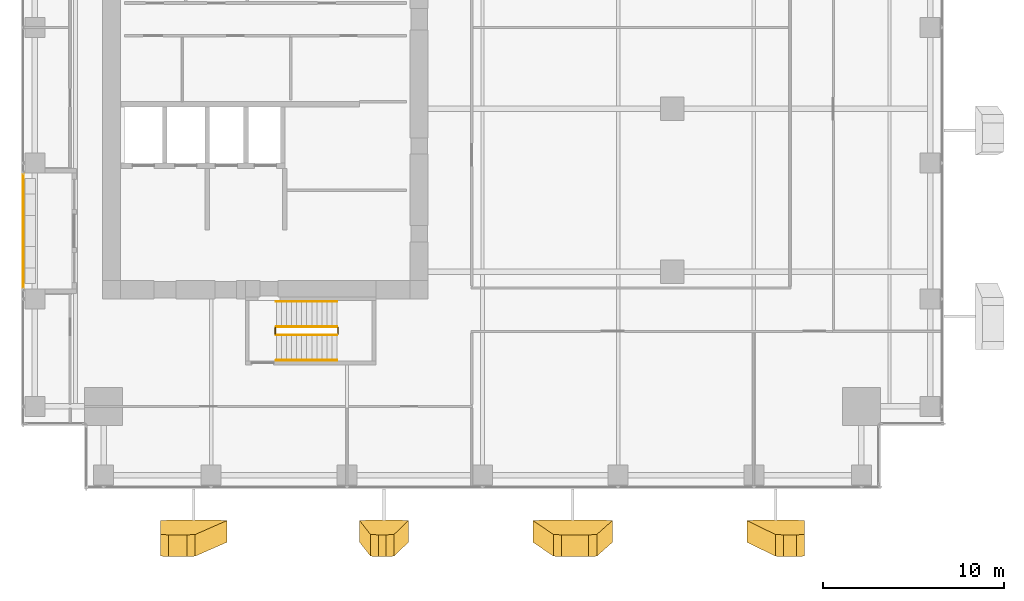
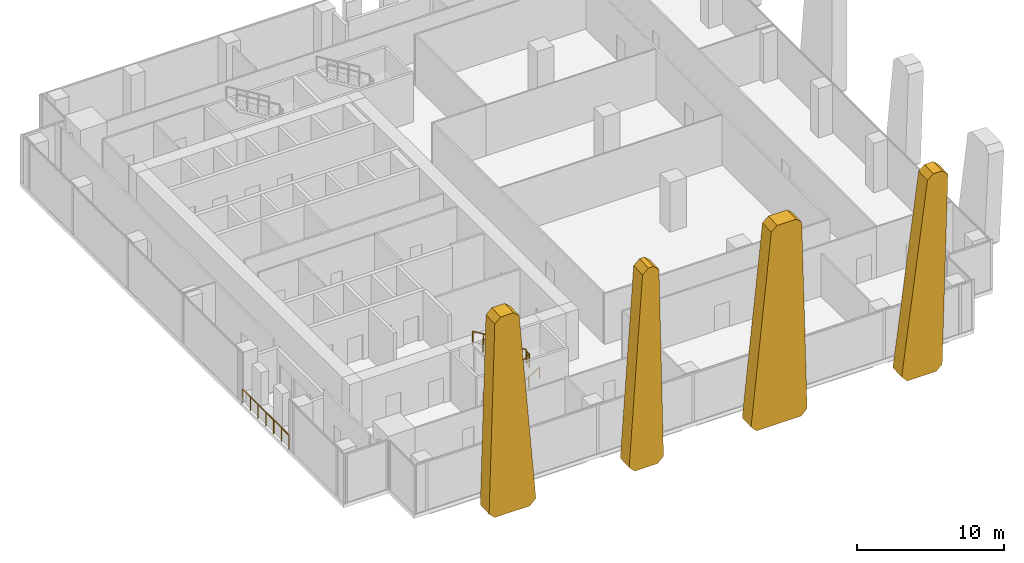
# One storey, part 32 of 35: 7 railings, 4 coverings.
"""IFC4 building model written with IfcOpenShell, lengths in metres."""

from ifc_helpers import new_model, si_unit, direction, frame, origin, origin_2d, place, context, subcontext, project, spatial, polyline, circle, outline, extrude, source, transform, mapped, material, layer, layer_set, type_object, element, save


model = new_model("IFC4")

# Units and contexts
model_context = context("Model", 3, precision=1e-05, world=origin(), true_north=direction((0.0, 1.0)))
body_context = subcontext(model_context, "Body", "Model", "MODEL_VIEW")
ifc_project = project(units=[si_unit("LENGTHUNIT", "METRE"), si_unit("AREAUNIT", "SQUARE_METRE"), si_unit("VOLUMEUNIT", "CUBIC_METRE"), si_unit("PLANEANGLEUNIT", "RADIAN"), si_unit("MASSUNIT", "GRAM", prefix="KILO")], contexts=[model_context])

# Site, building, storey
site_placement = place(None, origin())
site = spatial("IfcSite", under=ifc_project, at=site_placement, CompositionType="ELEMENT")
building_placement = place(site_placement, origin())
building = spatial("IfcBuilding", under=site, at=building_placement, Name="Khomas Fold Tower", CompositionType="ELEMENT")
storey_placement = place(building_placement, frame((0.0, 0.0, 119.10009765625)))
storey = spatial("IfcBuildingStorey", under=building, at=storey_placement, Name="L25", CompositionType="ELEMENT", Elevation=119.10009765625)

# Coverings
ifc_material_1 = material(Name="Natural stone cladding", Category="masonry")
ifc_layer = layer(ifc_material_1, 1.199951171875)
ifc_layer_set = layer_set([ifc_layer], Name="Natural stone cladding")
covering_type = type_object("IfcCoveringType", Name="SK-Karibib marble stone panel", PredefinedType="CLADDING", material=ifc_layer_set)
covering_1_placement = place(storey_placement, frame((11.114990234375, -1.030517578125, 16.748291015625), z_axis=(8.537538e-06, 0.998874928096, 0.047422335964), x_axis=(0.10733759809, 0.047147444265, -0.993104102567)))
element("IfcCovering", 1, at=covering_1_placement, inside=storey, type_object=covering_type, Name="OUTER SKIN leaf L25 SS03-1", PredefinedType="CLADDING", context=body_context, shape_type="SweptSolid", body=[
    extrude(outline(polyline([(0.0, 0.0), (16.362837322119418, 0.0), (16.8108002849447, 0.4982273368206789), (16.513027548837304, 3.2563698553476135), (16.01686958267368, 3.6553697916519123), (-0.15743409000647046, 1.909170448724624), (-0.5569987000764655, 1.4134671091959312), (-0.44774810280182414, 0.40152517839079266), (0.0, 0.0)])), origin(), (0.0, 0.0, -1.0), 1.199951171875),
])
covering_2_placement = place(storey_placement, frame((22.103759765625, -1.029296875, 16.72216796875), z_axis=(-1.104606e-05, 0.998874811175, 0.047424798132), x_axis=(0.049163878771, 0.047367990985, -0.997666871483)))
element("IfcCovering", 2, at=covering_2_placement, inside=storey, type_object=covering_type, Name="OUTER SKIN leaf L25 SS06-2", PredefinedType="CLADDING", context=body_context, shape_type="SweptSolid", body=[
    extrude(outline(polyline([(0.0, 0.0), (16.287999838812315, 1.1102230246251565e-16), (16.738032769427768, 0.4721592247518247), (16.649439363859237, 2.2719820624666576), (16.160813449972668, 2.6981817416904827), (-0.05810969881838845, 1.2948515112272851), (-0.46931031977261245, 0.824359307486657), (-0.44979360422533793, 0.4278667002350219), (0.0, 0.0)])), origin(), (0.0, 0.0, -1.0), 1.199951171875),
])
covering_3_placement = place(storey_placement, frame((33.31640625, -1.029296875, 16.723876953125), z_axis=(1.40313e-06, 0.998874825238, 0.047424503191), x_axis=(0.053319470315, 0.047356967357, -0.99745393464)))
element("IfcCovering", 3, at=covering_3_placement, inside=storey, type_object=covering_type, Name="OUTER SKIN leaf L25 SS09-3", PredefinedType="CLADDING", context=body_context, shape_type="SweptSolid", body=[
    extrude(outline(polyline([(0.0, 0.0), (16.291466119354297, 0.0), (16.741246671173197, 0.4741193840070129), (16.554198949260826, 3.977185832639743), (16.04872303265581, 4.399565425881455), (-0.13504827702632993, 2.3824187440287017), (-0.5292068019177005, 1.9120027874182233), (-0.44985243398828106, 0.425838609614262), (0.0, 0.0)])), origin(), (0.0, 0.0, -1.0), 1.199951171875),
])
covering_4_placement = place(storey_placement, frame((44.800048828125, -1.028076171875, 16.699951171875), z_axis=(-4.926526e-06, 0.998874957812, 0.047421710551), x_axis=(-7e-11, 0.047421710552, -0.998874957824)))
element("IfcCovering", 4, at=covering_4_placement, inside=storey, type_object=covering_type, Name="OUTER SKIN leaf L25 SS12-4", PredefinedType="CLADDING", context=body_context, shape_type="SweptSolid", body=[
    extrude(outline(polyline([(0.0, 0.0), (16.26829159580404, 8.470329472543003e-22), (16.71875537947765, 0.449951171233401), (16.718755379637134, 2.737304686830643), (16.224790835240682, 3.1850585931730593), (-0.04351233823962997, 1.6042480475186556), (-0.4504637835616014, 1.1564941412471044), (-0.4504637836108641, 0.44995117250567845), (0.0, 0.0)])), origin(), (0.0, 0.0, -1.0), 1.199951171875),
])

# Railings
ifc_material_2 = material(Name="Powder-coated steel", Category="steel")
railing_type_1 = type_object("IfcRailingType", Name="Balcony guard", PredefinedType="GUARDRAIL", material=ifc_material_2)
shared_shape_1 = source(origin(), body_context, "Body", "SweptSolid", [
    extrude(circle(Radius=0.02490234375, at=origin_2d()), frame((0.0, 0.0, 1.125), z_axis=(0.0, 1.0, 0.0), x_axis=(-1.0, 0.0, 0.0)), (0.0, 0.0, 1.0), 6.33984375),
    extrude(circle(Radius=0.02001953125, at=origin_2d()), origin(), (0.0, 0.0, 1.0), 1.099853515625),
    extrude(circle(Radius=0.02001953125, at=origin_2d()), frame((0.0, 1.056640625, 0.0)), (0.0, 0.0, 1.0), 1.099853515625),
    extrude(circle(Radius=0.02001953125, at=origin_2d()), frame((0.0, 2.11328125, 0.0)), (0.0, 0.0, 1.0), 1.099853515625),
    extrude(circle(Radius=0.02001953125, at=origin_2d()), frame((0.0, 3.169921875, 0.0)), (0.0, 0.0, 1.0), 1.099853515625),
    extrude(circle(Radius=0.02001953125, at=origin_2d()), frame((0.0, 4.2265625, 0.0)), (0.0, 0.0, 1.0), 1.099853515625),
    extrude(circle(Radius=0.02001953125, at=origin_2d()), frame((0.0, 5.283203125, 0.0)), (0.0, 0.0, 1.0), 1.099853515625),
    extrude(circle(Radius=0.02001953125, at=origin_2d()), frame((0.0, 6.33984375, 0.0)), (0.0, 0.0, 1.0), 1.099853515625),
])
railing_1_placement = place(storey_placement, frame((1.60009765625, 12.580078125, -0.045166015625)))
element("IfcRailing", 5, at=railing_1_placement, inside=storey, type_object=railing_type_1, Name="Balcony guard BAL-L25-W1", PredefinedType="GUARDRAIL", context=body_context, shape_type="MappedRepresentation", body=[
    mapped(shared_shape_1, transform((0.0, 0.0, 0.0))),
])
ifc_material_3 = material(Name="Steel balustrade", Category="steel")
railing_type_2 = type_object("IfcRailingType", Name="Stair guard", PredefinedType="GUARDRAIL", material=ifc_material_3)
shared_shape_2 = source(origin(), body_context, "Body", "SweptSolid", [
    extrude(circle(Radius=0.02392578125, at=origin_2d()), frame((0.0, 0.0, 1.076171875), z_axis=(0.0, 1.0, 0.0), x_axis=(-1.0, 0.0, 0.0)), (0.0, 0.0, 1.0), 0.349853515625),
    extrude(circle(Radius=0.02099609375, at=origin_2d()), origin(), (0.0, 0.0, 1.0), 1.052001953125),
    extrude(circle(Radius=0.02099609375, at=origin_2d()), frame((0.0, 0.349853515625, 0.0)), (0.0, 0.0, 1.0), 1.052001953125),
])
for number, where, name in (
    (6, (19.010009765625, 10.050048828125, 2.199951171875), "L25 ST2 stair guard 2"),
    (7, (15.550048828125, 10.050048828125, 0.0), "L25 ST2 stair guard 4"),
):
    element("IfcRailing", number, at=place(storey_placement, frame(where)), inside=storey, type_object=railing_type_2, Name=name, PredefinedType="GUARDRAIL", context=body_context, shape_type="MappedRepresentation", body=[
        mapped(shared_shape_2, transform((0.0, 0.0, 0.0))),
    ])
shared_shape_3 = source(origin(), body_context, "Body", "SweptSolid", [
    extrude(circle(Radius=0.02392578125, at=origin_2d()), frame((0.0, 0.0, 1.076171875), z_axis=(0.855820338506, 0.0, 0.51727318527), x_axis=(0.0, 1.0, 0.0)), (0.0, 0.0, 1.0), 3.92578125),
    extrude(circle(Radius=0.02099609375, at=origin_2d()), origin(), (0.0, 0.0, 1.0), 1.052001953125),
    extrude(circle(Radius=0.02099609375, at=origin_2d()), frame((0.83984375, 0.0, 0.5078125)), (0.0, 0.0, 1.0), 1.052001953125),
    extrude(circle(Radius=0.02099609375, at=origin_2d()), frame((1.679931640625, 0.0, 1.015380859375)), (0.0, 0.0, 1.0), 1.052001953125),
    extrude(circle(Radius=0.02099609375, at=origin_2d()), frame((2.52001953125, 0.0, 1.52294921875)), (0.0, 0.0, 1.0), 1.052001953125),
    extrude(circle(Radius=0.02099609375, at=origin_2d()), frame((3.35986328125, 0.0, 2.03076171875)), (0.0, 0.0, 1.0), 1.052001953125),
])
railing_2_placement = place(storey_placement, frame((15.60009765625, 10.0, 0.169189453125)))
element("IfcRailing", 8, at=railing_2_placement, inside=storey, type_object=railing_type_2, Name="L25 ST2 stair guard 1", PredefinedType="GUARDRAIL", context=body_context, shape_type="MappedRepresentation", body=[
    mapped(shared_shape_3, transform((0.0, 0.0, 0.0))),
])
shared_shape_4 = source(origin(), body_context, "Body", "SweptSolid", [
    extrude(circle(Radius=0.02392578125, at=origin_2d()), frame((0.0, 0.0, 1.076171875), z_axis=(-0.855820338506, 0.0, 0.51727318527), x_axis=(0.0, -1.0, 0.0)), (0.0, 0.0, 1.0), 3.92578125),
    extrude(circle(Radius=0.02099609375, at=origin_2d()), origin(), (0.0, 0.0, 1.0), 1.052001953125),
    extrude(circle(Radius=0.02099609375, at=origin_2d()), frame((-0.83984375, 0.0, 0.5078125)), (0.0, 0.0, 1.0), 1.052001953125),
    extrude(circle(Radius=0.02099609375, at=origin_2d()), frame((-1.679931640625, 0.0, 1.015380859375)), (0.0, 0.0, 1.0), 1.052001953125),
    extrude(circle(Radius=0.02099609375, at=origin_2d()), frame((-2.52001953125, 0.0, 1.52294921875)), (0.0, 0.0, 1.0), 1.052001953125),
    extrude(circle(Radius=0.02099609375, at=origin_2d()), frame((-3.35986328125, 0.0, 2.03076171875)), (0.0, 0.0, 1.0), 1.052001953125),
])
railing_3_placement = place(storey_placement, frame((18.9599609375, 10.449951171875, 2.369140625)))
element("IfcRailing", 9, at=railing_3_placement, inside=storey, type_object=railing_type_2, Name="L25 ST2 stair guard 3", PredefinedType="GUARDRAIL", context=body_context, shape_type="MappedRepresentation", body=[
    mapped(shared_shape_4, transform((0.0, 0.0, 0.0))),
])
ifc_material_4 = material(Name="Steel handrail", Category="steel")
railing_type_3 = type_object("IfcRailingType", Name="Stair handrail", PredefinedType="HANDRAIL", material=ifc_material_4)
shared_shape_5 = source(origin(), body_context, "Body", "SweptSolid", [
    extrude(circle(Radius=0.02392578125, at=origin_2d()), frame((0.0, 0.0, 0.8759765625), z_axis=(0.855820338506, 0.0, 0.51727318527), x_axis=(0.0, 1.0, 0.0)), (0.0, 0.0, 1.0), 3.92578125),
    extrude(circle(Radius=0.02099609375, at=origin_2d()), origin(), (0.0, 0.0, 1.0), 0.851806640625),
    extrude(circle(Radius=0.02099609375, at=origin_2d()), frame((0.83984375, 0.0, 0.5078125)), (0.0, 0.0, 1.0), 0.851806640625),
    extrude(circle(Radius=0.02099609375, at=origin_2d()), frame((1.679931640625, 0.0, 1.015380859375)), (0.0, 0.0, 1.0), 0.851806640625),
    extrude(circle(Radius=0.02099609375, at=origin_2d()), frame((2.52001953125, 0.0, 1.52294921875)), (0.0, 0.0, 1.0), 0.851806640625),
    extrude(circle(Radius=0.02099609375, at=origin_2d()), frame((3.35986328125, 0.0, 2.03076171875)), (0.0, 0.0, 1.0), 0.851806640625),
])
railing_4_placement = place(storey_placement, frame((15.60009765625, 8.60009765625, 0.169189453125)))
element("IfcRailing", 10, at=railing_4_placement, inside=storey, type_object=railing_type_3, Name="L25 ST2 stair handrail 1", PredefinedType="HANDRAIL", context=body_context, shape_type="MappedRepresentation", body=[
    mapped(shared_shape_5, transform((0.0, 0.0, 0.0))),
])
shared_shape_6 = source(origin(), body_context, "Body", "SweptSolid", [
    extrude(circle(Radius=0.02392578125, at=origin_2d()), frame((0.0, 0.0, 0.8759765625), z_axis=(-0.855820338506, 0.0, 0.51727318527), x_axis=(0.0, -1.0, 0.0)), (0.0, 0.0, 1.0), 3.92578125),
    extrude(circle(Radius=0.02099609375, at=origin_2d()), origin(), (0.0, 0.0, 1.0), 0.851806640625),
    extrude(circle(Radius=0.02099609375, at=origin_2d()), frame((-0.83984375, 0.0, 0.5078125)), (0.0, 0.0, 1.0), 0.851806640625),
    extrude(circle(Radius=0.02099609375, at=origin_2d()), frame((-1.679931640625, 0.0, 1.015380859375)), (0.0, 0.0, 1.0), 0.851806640625),
    extrude(circle(Radius=0.02099609375, at=origin_2d()), frame((-2.52001953125, 0.0, 1.52294921875)), (0.0, 0.0, 1.0), 0.851806640625),
    extrude(circle(Radius=0.02099609375, at=origin_2d()), frame((-3.35986328125, 0.0, 2.03076171875)), (0.0, 0.0, 1.0), 0.851806640625),
])
railing_5_placement = place(storey_placement, frame((18.9599609375, 11.85009765625, 2.369140625)))
element("IfcRailing", 11, at=railing_5_placement, inside=storey, type_object=railing_type_3, Name="L25 ST2 stair handrail 2", PredefinedType="HANDRAIL", context=body_context, shape_type="MappedRepresentation", body=[
    mapped(shared_shape_6, transform((0.0, 0.0, 0.0))),
])

save(model, "model.ifc")
